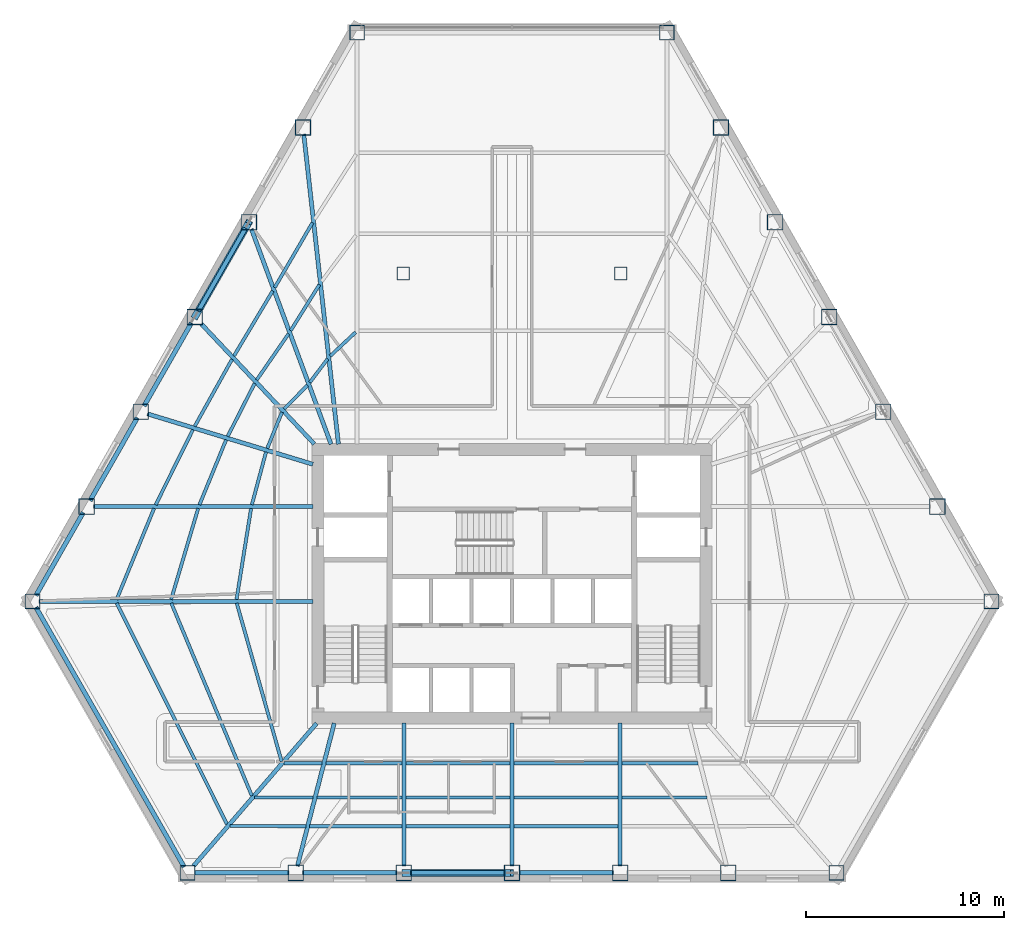
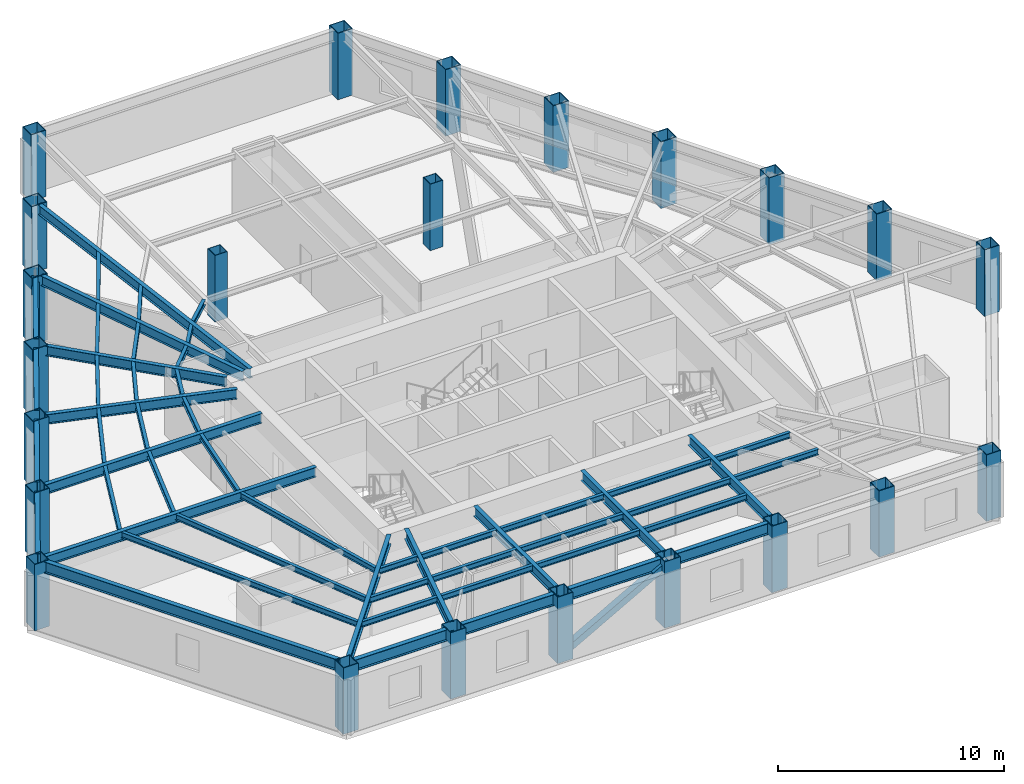
# One storey, part 1 of 12: 53 beams, 23 columns, 2 members.
"""IFC4 building model written with IfcOpenShell, lengths in metres."""

from ifc_helpers import new_model, si_unit, direction, frame, origin, origin_2d, place, context, subcontext, project, spatial, hollow_rectangle, i_section, extrude, material, material_profile, profile_set, type_object, element, save


model = new_model("IFC4")

# Units and contexts
model_context = context("Model", 3, precision=1e-05, world=origin(), true_north=direction((0.0, 1.0)))
body_context = subcontext(model_context, "Body", "Model", "MODEL_VIEW")
ifc_project = project(units=[si_unit("LENGTHUNIT", "METRE"), si_unit("AREAUNIT", "SQUARE_METRE"), si_unit("VOLUMEUNIT", "CUBIC_METRE"), si_unit("PLANEANGLEUNIT", "RADIAN"), si_unit("MASSUNIT", "GRAM", prefix="KILO")], contexts=[model_context])

# Site, building, storey
site_placement = place(None, origin())
site = spatial("IfcSite", under=ifc_project, at=site_placement, CompositionType="ELEMENT")
building_placement = place(site_placement, origin())
building = spatial("IfcBuilding", under=site, at=building_placement, Name="Kavelnor Concourse Tower", CompositionType="ELEMENT")
storey_placement = place(building_placement, frame((0.0, 0.0, 21.39990234375)))
storey = spatial("IfcBuildingStorey", under=building, at=storey_placement, Name="L05", CompositionType="ELEMENT", Elevation=21.39990234375)

# Columns
ifc_material = material(Name="Steel Grade 350", Category="steel")
ifc_material_profile_1 = material_profile(ifc_material, hollow_rectangle(XDim=0.760009765625, YDim=0.760009765625, WallThickness=0.034912109375, at=origin_2d()), Name="SHS 760x760x35")
ifc_profile_set_1 = profile_set([ifc_material_profile_1], Name="Steel Grade 350")
column_type_1 = type_object("IfcColumnType", Name="COL-FOLD-Z1", PredefinedType="COLUMN", material=ifc_profile_set_1)
for number, where, z_axis, x_axis, name in (
    (1, (30.160400390625, 43.9873046875, 0.0), (0.0, 0.0, 1.0), (1.0, 0.0, 0.0), "L05 Perimeter Corner-Fold Column F0-B0"),
    (2, (13.732666015625, 15.206298828125, 0.0), (0.0, 0.0, 1.0), (1.0, 0.0, 0.0), "L05 Perimeter Corner-Fold Column F0-B6"),
    (3, (21.576904296875, 1.462890625, 0.0), (0.0, 0.0, 1.0), (1.0, 0.0, 0.0), "L05 Perimeter Corner-Fold Column F1-B0"),
    (4, (54.423095703125, 1.462890625, 0.0), (0.0, 0.0, 1.0), (1.0, 0.0, 0.0), "L05 Perimeter Corner-Fold Column F1-B6"),
    (5, (62.267333984375, 15.206298828125, 0.0), (0.0, 0.0, 1.0), (1.0, 0.0, 0.0), "L05 Perimeter Corner-Fold Column F2-B0"),
    (6, (45.839599609375, 43.9873046875, 0.0), (0.0, 0.0, 1.0), (1.0, 0.0, 0.0), "L05 Perimeter Corner-Fold Column F2-B6"),
):
    element("IfcColumn", number, at=place(storey_placement, frame(where, z_axis=z_axis, x_axis=x_axis)), inside=storey, type_object=column_type_1, Name=name, PredefinedType="COLUMN", context=body_context, shape_type="SweptSolid", body=[
        extrude(hollow_rectangle(XDim=0.760009765625, YDim=0.760009765625, WallThickness=0.034912109375, at=origin_2d()), origin(), (0.0, 0.0, 1.0), 3.590087890625),
    ])
ifc_material_profile_2 = material_profile(ifc_material, hollow_rectangle(XDim=0.800048828125, YDim=0.800048828125, WallThickness=0.035888671875, at=origin_2d()), Name="SHS 800x800x36")
ifc_profile_set_2 = profile_set([ifc_material_profile_2], Name="Steel Grade 350")
column_type_2 = type_object("IfcColumnType", Name="COL-TUBE-Z1", PredefinedType="COLUMN", material=ifc_profile_set_2)
for number, where, z_axis, x_axis, name in (
    (7, (27.42236328125, 39.1904296875, 0.0), (0.0, 0.0, 1.0), (1.0, 0.0, 0.0), "L05 Perimeter Framed-Tube Column F0-B1"),
    (8, (24.684326171875, 34.393798828125, 0.0), (0.0, 0.0, 1.0), (1.0, 0.0, 0.0), "L05 Perimeter Framed-Tube Column F0-B2"),
    (9, (21.9462890625, 29.5966796875, 0.0), (0.0, 0.0, 1.0), (1.0, 0.0, 0.0), "L05 Perimeter Framed-Tube Column F0-B3"),
    (10, (19.20849609375, 24.7998046875, 0.0), (0.0, 0.0, 1.0), (1.0, 0.0, 0.0), "L05 Perimeter Framed-Tube Column F0-B4"),
    (11, (16.470458984375, 20.003173828125, 0.0), (0.0, 0.0, 1.0), (1.0, 0.0, 0.0), "L05 Perimeter Framed-Tube Column F0-B5"),
    (12, (27.05126953125, 1.462890625, 0.0), (0.0, 0.0, 1.0), (1.0, 0.0, 0.0), "L05 Perimeter Framed-Tube Column F1-B1"),
    (13, (32.525634765625, 1.462890625, 0.0), (0.0, 0.0, 1.0), (1.0, 0.0, 0.0), "L05 Perimeter Framed-Tube Column F1-B2"),
    (14, (38.0, 1.462890625, 0.0), (0.0, 0.0, 1.0), (1.0, 0.0, 0.0), "L05 Perimeter Framed-Tube Column F1-B3"),
    (15, (43.474365234375, 1.462890625, 0.0), (0.0, 0.0, 1.0), (1.0, 0.0, 0.0), "L05 Perimeter Framed-Tube Column F1-B4"),
    (16, (48.94873046875, 1.462890625, 0.0), (0.0, 0.0, 1.0), (1.0, 0.0, 0.0), "L05 Perimeter Framed-Tube Column F1-B5"),
    (17, (59.529541015625, 20.003173828125, 0.0), (0.0, 0.0, 1.0), (1.0, 0.0, 0.0), "L05 Perimeter Framed-Tube Column F2-B1"),
    (18, (56.79150390625, 24.7998046875, 0.0), (0.0, 0.0, 1.0), (1.0, 0.0, 0.0), "L05 Perimeter Framed-Tube Column F2-B2"),
    (19, (54.0537109375, 29.5966796875, 0.0), (0.0, 0.0, 1.0), (1.0, 0.0, 0.0), "L05 Perimeter Framed-Tube Column F2-B3"),
    (20, (51.315673828125, 34.393798828125, 0.0), (0.0, 0.0, 1.0), (1.0, 0.0, 0.0), "L05 Perimeter Framed-Tube Column F2-B4"),
    (21, (48.57763671875, 39.1904296875, 0.0), (0.0, 0.0, 1.0), (1.0, 0.0, 0.0), "L05 Perimeter Framed-Tube Column F2-B5"),
):
    element("IfcColumn", number, at=place(storey_placement, frame(where, z_axis=z_axis, x_axis=x_axis)), inside=storey, type_object=column_type_2, Name=name, PredefinedType="COLUMN", context=body_context, shape_type="SweptSolid", body=[
        extrude(hollow_rectangle(XDim=0.800048828125, YDim=0.800048828125, WallThickness=0.035888671875, at=origin_2d()), origin(), (0.0, 0.0, 1.0), 3.590087890625),
    ])
ifc_material_profile_3 = material_profile(ifc_material, hollow_rectangle(XDim=0.639892578125, YDim=0.639892578125, WallThickness=0.028076171875, at=origin_2d()), Name="SHS 640x640x28")
ifc_profile_set_3 = profile_set([ifc_material_profile_3], Name="Steel Grade 350")
column_type_3 = type_object("IfcColumnType", Name="COL-TUBE-Z3", PredefinedType="COLUMN", material=ifc_profile_set_3)
for number, where, z_axis, x_axis, name in (
    (22, (32.5, 31.800048828125, 0.0), (0.0, 0.0, 1.0), (1.0, 0.0, 0.0), "L05 North Interior Gravity Column BC-NW"),
    (23, (43.5, 31.800048828125, 0.0), (0.0, 0.0, 1.0), (1.0, 0.0, 0.0), "L05 North Interior Gravity Column BC-NE"),
):
    element("IfcColumn", number, at=place(storey_placement, frame(where, z_axis=z_axis, x_axis=x_axis)), inside=storey, type_object=column_type_3, Name=name, PredefinedType="COLUMN", context=body_context, shape_type="SweptSolid", body=[
        extrude(hollow_rectangle(XDim=0.639892578125, YDim=0.639892578125, WallThickness=0.028076171875, at=origin_2d()), origin(), (0.0, 0.0, 1.0), 3.590087890625),
    ])

# Beams
ifc_material_profile_4 = material_profile(ifc_material, i_section(OverallWidth=0.166015625, OverallDepth=0.306884765625, WebThickness=0.006591796875, FlangeThickness=0.01171875, at=origin_2d()), Name="310UB46")
ifc_profile_set_4 = profile_set([ifc_material_profile_4], Name="Steel Grade 350")
beam_type_1 = type_object("IfcBeamType", Name="BM-JOIST-310", PredefinedType="JOIST", material=ifc_profile_set_4)
beam_1_placement = place(storey_placement, frame((24.069580078125, 15.111328125, 3.4365234375), z_axis=(0.27269037015, -0.962101845974, 0.0), x_axis=(0.962101845974, 0.27269037015, 0.0)))
element("IfcBeam", 24, at=beam_1_placement, inside=storey, type_object=beam_type_1, Name="L05 Secondary Composite Joist 01-1", PredefinedType="JOIST", context=body_context, shape_type="SweptSolid", body=[
    extrude(i_section(OverallWidth=0.166015625, OverallDepth=0.306884765625, WebThickness=0.006591796875, FlangeThickness=0.01171875, at=origin_2d()), origin(), (0.0, 0.0, 1.0), 8.32275390625),
])
beam_2_placement = place(storey_placement, frame((20.75732421875, 15.115234375, 3.4365234375), z_axis=(0.38570957059, -0.922620250783, 0.0), x_axis=(0.922620250783, 0.38570957059, 0.0)))
element("IfcBeam", 25, at=beam_2_placement, inside=storey, type_object=beam_type_1, Name="L05 Secondary Composite Joist 01-2", PredefinedType="JOIST", context=body_context, shape_type="SweptSolid", body=[
    extrude(i_section(OverallWidth=0.166015625, OverallDepth=0.306884765625, WebThickness=0.006591796875, FlangeThickness=0.01171875, at=origin_2d()), origin(), (0.0, 0.0, 1.0), 10.564697265625),
])
beam_3_placement = place(storey_placement, frame((17.993896484375, 15.1181640625, 3.4365234375), z_axis=(0.446425153632, -0.894820977741, 0.0), x_axis=(0.894820977741, 0.446425153632, 0.0)))
element("IfcBeam", 26, at=beam_3_placement, inside=storey, type_object=beam_type_1, Name="L05 Secondary Composite Joist 01-3", PredefinedType="JOIST", context=body_context, shape_type="SweptSolid", body=[
    extrude(i_section(OverallWidth=0.166015625, OverallDepth=0.306884765625, WebThickness=0.006591796875, FlangeThickness=0.01171875, at=origin_2d()), origin(), (0.0, 0.0, 1.0), 12.5126953125),
])
beam_4_placement = place(storey_placement, frame((26.464599609375, 7.009521484375, 3.4365234375), z_axis=(0.999998412912, 0.001781620995, 0.0), x_axis=(-0.001781620995, 0.999998412912, 0.0)))
element("IfcBeam", 27, at=beam_4_placement, inside=storey, type_object=beam_type_1, Name="L05 Secondary Composite Joist 02-1", PredefinedType="JOIST", context=body_context, shape_type="SweptSolid", body=[
    extrude(i_section(OverallWidth=0.166015625, OverallDepth=0.306884765625, WebThickness=0.006591796875, FlangeThickness=0.01171875, at=origin_2d()), origin(), (0.0, 0.0, 1.0), 1.91845703125),
])
beam_5_placement = place(storey_placement, frame((24.96875, 5.277099609375, 3.4365234375), z_axis=(0.999999996614, -8.2290981e-05, 0.0), x_axis=(8.2290981e-05, 0.999999996614, 0.0)))
element("IfcBeam", 28, at=beam_5_placement, inside=storey, type_object=beam_type_1, Name="L05 Secondary Composite Joist 02-2", PredefinedType="JOIST", context=body_context, shape_type="SweptSolid", body=[
    extrude(i_section(OverallWidth=0.166015625, OverallDepth=0.306884765625, WebThickness=0.006591796875, FlangeThickness=0.01171875, at=origin_2d()), origin(), (0.0, 0.0, 1.0), 2.966796875),
])
beam_6_placement = place(storey_placement, frame((23.722412109375, 3.83349609375, 3.4365234375), z_axis=(0.999999603933, -0.000890018719, 0.0), x_axis=(0.000890018719, 0.999999603933, 0.0)))
element("IfcBeam", 29, at=beam_6_placement, inside=storey, type_object=beam_type_1, Name="L05 Secondary Composite Joist 02-3", PredefinedType="JOIST", context=body_context, shape_type="SweptSolid", body=[
    extrude(i_section(OverallWidth=0.166015625, OverallDepth=0.306884765625, WebThickness=0.006591796875, FlangeThickness=0.01171875, at=origin_2d()), origin(), (0.0, 0.0, 1.0), 3.84033203125),
])
beam_7_placement = place(storey_placement, frame((28.580078125, 7.01318359375, 3.4365234375), z_axis=(0.999999991945, 0.000126927714, 0.0), x_axis=(-0.000126927714, 0.999999991945, 0.0)))
element("IfcBeam", 30, at=beam_7_placement, inside=storey, type_object=beam_type_1, Name="L05 Secondary Composite Joist 03-1", PredefinedType="JOIST", context=body_context, shape_type="SweptSolid", body=[
    extrude(i_section(OverallWidth=0.166015625, OverallDepth=0.306884765625, WebThickness=0.006591796875, FlangeThickness=0.01171875, at=origin_2d()), origin(), (0.0, 0.0, 1.0), 3.846923828125),
])
beam_8_placement = place(storey_placement, frame((28.132568359375, 5.27685546875, 3.4365234375), z_axis=(0.999999998384, -5.6850483e-05, 0.0), x_axis=(5.6850483e-05, 0.999999998384, 0.0)))
element("IfcBeam", 31, at=beam_8_placement, inside=storey, type_object=beam_type_1, Name="L05 Secondary Composite Joist 03-2", PredefinedType="JOIST", context=body_context, shape_type="SweptSolid", body=[
    extrude(i_section(OverallWidth=0.166015625, OverallDepth=0.306884765625, WebThickness=0.006591796875, FlangeThickness=0.01171875, at=origin_2d()), origin(), (0.0, 0.0, 1.0), 4.29443359375),
])
beam_9_placement = place(storey_placement, frame((27.759765625, 3.829833984375, 3.4365234375), z_axis=(0.999999994527, -0.000104618925, 0.0), x_axis=(0.000104618925, 0.999999994527, 0.0)))
element("IfcBeam", 32, at=beam_9_placement, inside=storey, type_object=beam_type_1, Name="L05 Secondary Composite Joist 03-3", PredefinedType="JOIST", context=body_context, shape_type="SweptSolid", body=[
    extrude(i_section(OverallWidth=0.166015625, OverallDepth=0.306884765625, WebThickness=0.006591796875, FlangeThickness=0.01171875, at=origin_2d()), origin(), (0.0, 0.0, 1.0), 4.667236328125),
])
for number, where, z_axis, x_axis, name in (
    (33, (32.6240234375, 7.013671875, 3.4365234375), (1.0, 0.0, 0.0), (0.0, 1.0, 0.0), "L05 Secondary Composite Joist 04-1"),
    (34, (32.6240234375, 5.276611328125, 3.4365234375), (1.0, 0.0, 0.0), (0.0, 1.0, 0.0), "L05 Secondary Composite Joist 04-2"),
    (35, (32.6240234375, 3.829345703125, 3.4365234375), (1.0, 0.0, 0.0), (0.0, 1.0, 0.0), "L05 Secondary Composite Joist 04-3"),
    (36, (38.098388671875, 7.013671875, 3.4365234375), (1.0, 0.0, 0.0), (0.0, 1.0, 0.0), "L05 Secondary Composite Joist 05-1"),
    (37, (38.098388671875, 5.276611328125, 3.4365234375), (1.0, 0.0, 0.0), (0.0, 1.0, 0.0), "L05 Secondary Composite Joist 05-2"),
    (38, (38.098388671875, 3.829345703125, 3.4365234375), (1.0, 0.0, 0.0), (0.0, 1.0, 0.0), "L05 Secondary Composite Joist 05-3"),
):
    element("IfcBeam", number, at=place(storey_placement, frame(where, z_axis=z_axis, x_axis=x_axis)), inside=storey, type_object=beam_type_1, Name=name, PredefinedType="JOIST", context=body_context, shape_type="SweptSolid", body=[
        extrude(i_section(OverallWidth=0.166015625, OverallDepth=0.306884765625, WebThickness=0.006591796875, FlangeThickness=0.01171875, at=origin_2d()), origin(), (0.0, 0.0, 1.0), 5.277587890625),
    ])
beam_10_placement = place(storey_placement, frame((43.572998046875, 7.013671875, 3.4365234375), z_axis=(0.999999991945, -0.000126927714, 0.0), x_axis=(0.000126927714, 0.999999991945, 0.0)))
element("IfcBeam", 39, at=beam_10_placement, inside=storey, type_object=beam_type_1, Name="L05 Secondary Composite Joist 06-1", PredefinedType="JOIST", context=body_context, shape_type="SweptSolid", body=[
    extrude(i_section(OverallWidth=0.166015625, OverallDepth=0.306884765625, WebThickness=0.006591796875, FlangeThickness=0.01171875, at=origin_2d()), origin(), (0.0, 0.0, 1.0), 3.846923828125),
])
beam_11_placement = place(storey_placement, frame((43.572998046875, 5.276611328125, 3.4365234375), z_axis=(0.999999998384, 5.6850483e-05, 0.0), x_axis=(-5.6850483e-05, 0.999999998384, 0.0)))
element("IfcBeam", 40, at=beam_11_placement, inside=storey, type_object=beam_type_1, Name="L05 Secondary Composite Joist 06-2", PredefinedType="JOIST", context=body_context, shape_type="SweptSolid", body=[
    extrude(i_section(OverallWidth=0.166015625, OverallDepth=0.306884765625, WebThickness=0.006591796875, FlangeThickness=0.01171875, at=origin_2d()), origin(), (0.0, 0.0, 1.0), 4.29443359375),
])
beam_12_placement = place(storey_placement, frame((30.08837890625, 28.8291015625, 3.4365234375), z_axis=(-0.730182552933, -0.683252105297, 0.0), x_axis=(0.683252105297, -0.730182552933, 0.0)))
element("IfcBeam", 41, at=beam_12_placement, inside=storey, type_object=beam_type_1, Name="L05 Secondary Composite Joist 16-1", PredefinedType="JOIST", context=body_context, shape_type="SweptSolid", body=[
    extrude(i_section(OverallWidth=0.166015625, OverallDepth=0.306884765625, WebThickness=0.006591796875, FlangeThickness=0.01171875, at=origin_2d()), origin(), (0.0, 0.0, 1.0), 1.768798828125),
])
beam_13_placement = place(storey_placement, frame((28.66552734375, 27.474853515625, 3.4365234375), z_axis=(-0.602679585657, -0.797983281173, 0.0), x_axis=(0.797983281173, -0.602679585657, 0.0)))
element("IfcBeam", 42, at=beam_13_placement, inside=storey, type_object=beam_type_1, Name="L05 Secondary Composite Joist 17-1", PredefinedType="JOIST", context=body_context, shape_type="SweptSolid", body=[
    extrude(i_section(OverallWidth=0.166015625, OverallDepth=0.306884765625, WebThickness=0.006591796875, FlangeThickness=0.01171875, at=origin_2d()), origin(), (0.0, 0.0, 1.0), 1.485107421875),
])
beam_14_placement = place(storey_placement, frame((28.251220703125, 31.235595703125, 3.4365234375), z_axis=(-0.529990944069, -0.848003301412, 0.0), x_axis=(0.848003301412, -0.529990944069, 0.0)))
element("IfcBeam", 43, at=beam_14_placement, inside=storey, type_object=beam_type_1, Name="L05 Secondary Composite Joist 17-2", PredefinedType="JOIST", context=body_context, shape_type="SweptSolid", body=[
    extrude(i_section(OverallWidth=0.166015625, OverallDepth=0.306884765625, WebThickness=0.006591796875, FlangeThickness=0.01171875, at=origin_2d()), origin(), (0.0, 0.0, 1.0), 2.74462890625),
])
beam_15_placement = place(storey_placement, frame((27.902587890625, 34.3720703125, 3.4365234375), z_axis=(-0.503479668379, -0.864007073772, 0.0), x_axis=(0.864007073772, -0.503479668379, 0.0)))
element("IfcBeam", 44, at=beam_15_placement, inside=storey, type_object=beam_type_1, Name="L05 Secondary Composite Joist 17-3", PredefinedType="JOIST", context=body_context, shape_type="SweptSolid", body=[
    extrude(i_section(OverallWidth=0.166015625, OverallDepth=0.306884765625, WebThickness=0.006591796875, FlangeThickness=0.01171875, at=origin_2d()), origin(), (0.0, 0.0, 1.0), 3.8017578125),
])
beam_16_placement = place(storey_placement, frame((27.64208984375, 26.14111328125, 3.4365234375), z_axis=(-0.701128879379, -0.713034567536, 0.0), x_axis=(0.713034567536, -0.701128879379, 0.0)))
element("IfcBeam", 45, at=beam_16_placement, inside=storey, type_object=beam_type_1, Name="L05 Secondary Composite Joist 18-1", PredefinedType="JOIST", context=body_context, shape_type="SweptSolid", body=[
    extrude(i_section(OverallWidth=0.166015625, OverallDepth=0.306884765625, WebThickness=0.006591796875, FlangeThickness=0.01171875, at=origin_2d()), origin(), (0.0, 0.0, 1.0), 1.681396484375),
])
beam_17_placement = place(storey_placement, frame((26.6884765625, 28.74365234375, 3.4365234375), z_axis=(-0.568219875212, -0.822876766846, 0.0), x_axis=(0.822876766846, -0.568219875212, 0.0)))
element("IfcBeam", 46, at=beam_17_placement, inside=storey, type_object=beam_type_1, Name="L05 Secondary Composite Joist 18-2", PredefinedType="JOIST", context=body_context, shape_type="SweptSolid", body=[
    extrude(i_section(OverallWidth=0.166015625, OverallDepth=0.306884765625, WebThickness=0.006591796875, FlangeThickness=0.01171875, at=origin_2d()), origin(), (0.0, 0.0, 1.0), 2.8349609375),
])
beam_18_placement = place(storey_placement, frame((25.888427734375, 30.917724609375, 3.4365234375), z_axis=(-0.511989436701, -0.85899174426, 0.0), x_axis=(0.85899174426, -0.511989436701, 0.0)))
element("IfcBeam", 47, at=beam_18_placement, inside=storey, type_object=beam_type_1, Name="L05 Secondary Composite Joist 18-3", PredefinedType="JOIST", context=body_context, shape_type="SweptSolid", body=[
    extrude(i_section(OverallWidth=0.166015625, OverallDepth=0.306884765625, WebThickness=0.006591796875, FlangeThickness=0.01171875, at=origin_2d()), origin(), (0.0, 0.0, 1.0), 3.828125),
])
beam_19_placement = place(storey_placement, frame((26.35693359375, 24.78076171875, 3.4365234375), z_axis=(-0.37688079029, -0.926261771807, 0.0), x_axis=(0.926261771807, -0.37688079029, 0.0)))
element("IfcBeam", 48, at=beam_19_placement, inside=storey, type_object=beam_type_1, Name="L05 Secondary Composite Joist 19-1", PredefinedType="JOIST", context=body_context, shape_type="SweptSolid", body=[
    extrude(i_section(OverallWidth=0.166015625, OverallDepth=0.306884765625, WebThickness=0.006591796875, FlangeThickness=0.01171875, at=origin_2d()), origin(), (0.0, 0.0, 1.0), 1.975830078125),
])
beam_20_placement = place(storey_placement, frame((24.97705078125, 26.2421875, 3.4365234375), z_axis=(-0.45359286798, -0.891209015954, 0.0), x_axis=(0.891209015954, -0.45359286798, 0.0)))
element("IfcBeam", 49, at=beam_20_placement, inside=storey, type_object=beam_type_1, Name="L05 Secondary Composite Joist 19-2", PredefinedType="JOIST", context=body_context, shape_type="SweptSolid", body=[
    extrude(i_section(OverallWidth=0.166015625, OverallDepth=0.306884765625, WebThickness=0.006591796875, FlangeThickness=0.01171875, at=origin_2d()), origin(), (0.0, 0.0, 1.0), 3.01025390625),
])
beam_21_placement = place(storey_placement, frame((23.830078125, 27.458740234375, 3.4365234375), z_axis=(-0.486646615233, -0.873598919346, 0.0), x_axis=(0.873598919346, -0.486646615233, 0.0)))
element("IfcBeam", 50, at=beam_21_placement, inside=storey, type_object=beam_type_1, Name="L05 Secondary Composite Joist 19-3", PredefinedType="JOIST", context=body_context, shape_type="SweptSolid", body=[
    extrude(i_section(OverallWidth=0.166015625, OverallDepth=0.306884765625, WebThickness=0.006591796875, FlangeThickness=0.01171875, at=origin_2d()), origin(), (0.0, 0.0, 1.0), 3.881591796875),
])
beam_22_placement = place(storey_placement, frame((25.5498046875, 22.764404296875, 3.4365234375), z_axis=(-0.259044050326, -0.965865508231, 0.0), x_axis=(0.965865508231, -0.259044050326, 0.0)))
element("IfcBeam", 51, at=beam_22_placement, inside=storey, type_object=beam_type_1, Name="L05 Secondary Composite Joist 20-1", PredefinedType="JOIST", context=body_context, shape_type="SweptSolid", body=[
    extrude(i_section(OverallWidth=0.166015625, OverallDepth=0.306884765625, WebThickness=0.006591796875, FlangeThickness=0.01171875, at=origin_2d()), origin(), (0.0, 0.0, 1.0), 2.760498046875),
])
beam_23_placement = place(storey_placement, frame((23.529541015625, 23.380615234375, 3.4365234375), z_axis=(-0.379764488657, -0.925083203369, 0.0), x_axis=(0.925083203369, -0.379764488657, 0.0)))
element("IfcBeam", 52, at=beam_23_placement, inside=storey, type_object=beam_type_1, Name="L05 Secondary Composite Joist 20-2", PredefinedType="JOIST", context=body_context, shape_type="SweptSolid", body=[
    extrude(i_section(OverallWidth=0.166015625, OverallDepth=0.306884765625, WebThickness=0.006591796875, FlangeThickness=0.01171875, at=origin_2d()), origin(), (0.0, 0.0, 1.0), 3.552490234375),
])
beam_24_placement = place(storey_placement, frame((21.849609375, 23.8935546875, 3.4365234375), z_axis=(-0.444127359241, -0.895963664873, 0.0), x_axis=(0.895963664873, -0.444127359241, 0.0)))
element("IfcBeam", 53, at=beam_24_placement, inside=storey, type_object=beam_type_1, Name="L05 Secondary Composite Joist 20-3", PredefinedType="JOIST", context=body_context, shape_type="SweptSolid", body=[
    extrude(i_section(OverallWidth=0.166015625, OverallDepth=0.306884765625, WebThickness=0.006591796875, FlangeThickness=0.01171875, at=origin_2d()), origin(), (0.0, 0.0, 1.0), 4.24365234375),
])
beam_25_placement = place(storey_placement, frame((24.793701171875, 19.90576171875, 3.4365234375), z_axis=(-0.157778022927, -0.98747460498, 0.0), x_axis=(0.98747460498, -0.157778022927, 0.0)))
element("IfcBeam", 54, at=beam_25_placement, inside=storey, type_object=beam_type_1, Name="L05 Secondary Composite Joist 21-1", PredefinedType="JOIST", context=body_context, shape_type="SweptSolid", body=[
    extrude(i_section(OverallWidth=0.166015625, OverallDepth=0.306884765625, WebThickness=0.006591796875, FlangeThickness=0.01171875, at=origin_2d()), origin(), (0.0, 0.0, 1.0), 4.66064453125),
])
beam_26_placement = place(storey_placement, frame((22.114990234375, 19.90869140625, 3.4365234375), z_axis=(-0.284527543542, -0.958667865825, 0.0), x_axis=(0.958667865825, -0.284527543542, 0.0)))
element("IfcBeam", 55, at=beam_26_placement, inside=storey, type_object=beam_type_1, Name="L05 Secondary Composite Joist 21-2", PredefinedType="JOIST", context=body_context, shape_type="SweptSolid", body=[
    extrude(i_section(OverallWidth=0.166015625, OverallDepth=0.306884765625, WebThickness=0.006591796875, FlangeThickness=0.01171875, at=origin_2d()), origin(), (0.0, 0.0, 1.0), 4.806884765625),
])
beam_27_placement = place(storey_placement, frame((19.8837890625, 19.912109375, 3.4365234375), z_axis=(-0.380114739322, -0.924939341228, 0.0), x_axis=(0.924939341228, -0.380114739322, 0.0)))
element("IfcBeam", 56, at=beam_27_placement, inside=storey, type_object=beam_type_1, Name="L05 Secondary Composite Joist 21-3", PredefinedType="JOIST", context=body_context, shape_type="SweptSolid", body=[
    extrude(i_section(OverallWidth=0.166015625, OverallDepth=0.306884765625, WebThickness=0.006591796875, FlangeThickness=0.01171875, at=origin_2d()), origin(), (0.0, 0.0, 1.0), 4.9892578125),
])
ifc_material_profile_5 = material_profile(ifc_material, i_section(OverallWidth=0.208984375, OverallDepth=0.528076171875, WebThickness=0.009521484375, FlangeThickness=0.01318359375, at=origin_2d()), Name="530UB82")
ifc_profile_set_5 = profile_set([ifc_material_profile_5], Name="Steel Grade 350")
beam_type_2 = type_object("IfcBeamType", Name="BM-PRIMARY-530", PredefinedType="BEAM", material=ifc_profile_set_5)
beam_28_placement = place(storey_placement, frame((29.216552734375, 23.16015625, 3.326171875), z_axis=(-0.111229182439, 0.993794782123, 0.0), x_axis=(-0.993794782123, -0.111229182439, 0.0)))
element("IfcBeam", 57, at=beam_28_placement, inside=storey, type_object=beam_type_2, Name="L05 Primary Floor Girder F0-B1", PredefinedType="BEAM", context=body_context, shape_type="SweptSolid", body=[
    extrude(i_section(OverallWidth=0.208984375, OverallDepth=0.528076171875, WebThickness=0.009521484375, FlangeThickness=0.01318359375, at=origin_2d()), origin(), (0.0, 0.0, 1.0), 15.7880859375),
])
beam_29_placement = place(storey_placement, frame((28.839111328125, 23.16259765625, 3.326171875), z_axis=(-0.346953391469, 0.937882372235, 0.0), x_axis=(-0.937882372235, -0.346953391469, 0.0)))
element("IfcBeam", 58, at=beam_29_placement, inside=storey, type_object=beam_type_2, Name="L05 Primary Floor Girder F0-B2", PredefinedType="BEAM", context=body_context, shape_type="SweptSolid", body=[
    extrude(i_section(OverallWidth=0.208984375, OverallDepth=0.528076171875, WebThickness=0.009521484375, FlangeThickness=0.01318359375, at=origin_2d()), origin(), (0.0, 0.0, 1.0), 11.60986328125),
])
beam_30_placement = place(storey_placement, frame((27.995361328125, 23.1708984375, 3.326171875), z_axis=(-0.685437716823, 0.728131263136, 0.0), x_axis=(-0.728131263136, -0.685437716823, 0.0)))
element("IfcBeam", 59, at=beam_30_placement, inside=storey, type_object=beam_type_2, Name="L05 Primary Floor Girder F0-B3", PredefinedType="BEAM", context=body_context, shape_type="SweptSolid", body=[
    extrude(i_section(OverallWidth=0.208984375, OverallDepth=0.528076171875, WebThickness=0.009521484375, FlangeThickness=0.01318359375, at=origin_2d()), origin(), (0.0, 0.0, 1.0), 8.34326171875),
])
beam_31_placement = place(storey_placement, frame((27.918212890625, 22.1455078125, 3.326171875), z_axis=(-0.956561257848, 0.291531404799, 0.0), x_axis=(-0.291531404799, -0.956561257848, 0.0)))
element("IfcBeam", 60, at=beam_31_placement, inside=storey, type_object=beam_type_2, Name="L05 Primary Floor Girder F0-B4", PredefinedType="BEAM", context=body_context, shape_type="SweptSolid", body=[
    extrude(i_section(OverallWidth=0.208984375, OverallDepth=0.528076171875, WebThickness=0.009521484375, FlangeThickness=0.01318359375, at=origin_2d()), origin(), (0.0, 0.0, 1.0), 8.747802734375),
])
beam_32_placement = place(storey_placement, frame((27.919921875, 20.003173828125, 3.326171875), z_axis=(-1.0, 0.0, 0.0), x_axis=(0.0, -1.0, 0.0)))
element("IfcBeam", 61, at=beam_32_placement, inside=storey, type_object=beam_type_2, Name="L05 Primary Floor Girder F0-B5", PredefinedType="BEAM", context=body_context, shape_type="SweptSolid", body=[
    extrude(i_section(OverallWidth=0.208984375, OverallDepth=0.528076171875, WebThickness=0.009521484375, FlangeThickness=0.01318359375, at=origin_2d()), origin(), (0.0, 0.0, 1.0), 11.109375),
])
beam_33_placement = place(storey_placement, frame((27.919921875, 15.206298828125, 3.326171875), z_axis=(-1.0, 0.0, 0.0), x_axis=(0.0, -1.0, 0.0)))
element("IfcBeam", 62, at=beam_33_placement, inside=storey, type_object=beam_type_2, Name="L05 Primary Floor Girder F0-B6", PredefinedType="BEAM", context=body_context, shape_type="SweptSolid", body=[
    extrude(i_section(OverallWidth=0.208984375, OverallDepth=0.528076171875, WebThickness=0.009521484375, FlangeThickness=0.01318359375, at=origin_2d()), origin(), (0.0, 0.0, 1.0), 13.847412109375),
])
beam_34_placement = place(storey_placement, frame((28.111083984375, 9.0302734375, 3.326171875), z_axis=(-0.653538546599, -0.756893234287, 0.0), x_axis=(0.756893234287, -0.653538546599, 0.0)))
element("IfcBeam", 63, at=beam_34_placement, inside=storey, type_object=beam_type_2, Name="L05 Primary Floor Girder F1-B0", PredefinedType="BEAM", context=body_context, shape_type="SweptSolid", body=[
    extrude(i_section(OverallWidth=0.208984375, OverallDepth=0.528076171875, WebThickness=0.009521484375, FlangeThickness=0.01318359375, at=origin_2d()), origin(), (0.0, 0.0, 1.0), 9.5361328125),
])
beam_35_placement = place(storey_placement, frame((29.00341796875, 9.038818359375, 3.326171875), z_axis=(-0.249534064599, -0.968366020988, 0.0), x_axis=(0.968366020988, -0.249534064599, 0.0)))
element("IfcBeam", 64, at=beam_35_placement, inside=storey, type_object=beam_type_2, Name="L05 Primary Floor Girder F1-B1", PredefinedType="BEAM", context=body_context, shape_type="SweptSolid", body=[
    extrude(i_section(OverallWidth=0.208984375, OverallDepth=0.528076171875, WebThickness=0.009521484375, FlangeThickness=0.01318359375, at=origin_2d()), origin(), (0.0, 0.0, 1.0), 7.470947265625),
])
for number, where, z_axis, x_axis, name in (
    (65, (32.525634765625, 9.0400390625, 3.326171875), (0.0, -1.0, 0.0), (1.0, 0.0, 0.0), "L05 Primary Floor Girder F1-B2"),
    (66, (38.0, 9.0400390625, 3.326171875), (0.0, -1.0, 0.0), (1.0, 0.0, 0.0), "L05 Primary Floor Girder F1-B3"),
    (67, (43.474365234375, 9.0400390625, 3.326171875), (0.0, -1.0, 0.0), (1.0, 0.0, 0.0), "L05 Primary Floor Girder F1-B4"),
):
    element("IfcBeam", number, at=place(storey_placement, frame(where, z_axis=z_axis, x_axis=x_axis)), inside=storey, type_object=beam_type_2, Name=name, PredefinedType="BEAM", context=body_context, shape_type="SweptSolid", body=[
        extrude(i_section(OverallWidth=0.208984375, OverallDepth=0.528076171875, WebThickness=0.009521484375, FlangeThickness=0.01318359375, at=origin_2d()), origin(), (0.0, 0.0, 1.0), 7.237060546875),
    ])
ifc_material_profile_6 = material_profile(ifc_material, i_section(OverallWidth=0.22900390625, OverallDepth=0.612060546875, WebThickness=0.011962890625, FlangeThickness=0.01953125, at=origin_2d()), Name="610UB125")
ifc_profile_set_6 = profile_set([ifc_material_profile_6], Name="Steel Grade 350")
beam_type_3 = type_object("IfcBeamType", Name="BM-SPANDREL-Z1", PredefinedType="SPANDREL", material=ifc_profile_set_6)
for number, where, z_axis, x_axis, name in (
    (68, (24.513427734375, 34.093994140625, 3.2841796875), (-0.495736333855, -0.868473078049, 0.0), (0.868473078049, -0.495736333855, 0.0), "L05 Perimeter Tube Spandrel Beam F0-B2"),
    (69, (21.775390625, 29.297119140625, 3.2841796875), (-0.495736333855, -0.868473078049, 0.0), (0.868473078049, -0.495736333855, 0.0), "L05 Perimeter Tube Spandrel Beam F0-B3"),
    (70, (19.03759765625, 24.500244140625, 3.2841796875), (-0.495736333855, -0.868473078049, 0.0), (0.868473078049, -0.495736333855, 0.0), "L05 Perimeter Tube Spandrel Beam F0-B4"),
):
    element("IfcBeam", number, at=place(storey_placement, frame(where, z_axis=z_axis, x_axis=x_axis)), inside=storey, type_object=beam_type_3, Name=name, PredefinedType="SPANDREL", context=body_context, shape_type="SweptSolid", body=[
        extrude(i_section(OverallWidth=0.22900390625, OverallDepth=0.612060546875, WebThickness=0.011962890625, FlangeThickness=0.01953125, at=origin_2d()), origin(), (0.0, 0.0, 1.0), 4.833251953125),
    ])
beam_36_placement = place(storey_placement, frame((16.299560546875, 19.70361328125, 3.2841796875), z_axis=(-0.49571458703, -0.868485491074, 0.0), x_axis=(0.868485491074, -0.49571458703, 0.0)))
element("IfcBeam", 71, at=beam_36_placement, inside=storey, type_object=beam_type_3, Name="L05 Perimeter Tube Spandrel Beam F0-B5", PredefinedType="SPANDREL", context=body_context, shape_type="SweptSolid", body=[
    extrude(i_section(OverallWidth=0.22900390625, OverallDepth=0.612060546875, WebThickness=0.011962890625, FlangeThickness=0.01953125, at=origin_2d()), origin(), (0.0, 0.0, 1.0), 4.83349609375),
])
for number, where, z_axis, x_axis, name in (
    (72, (21.921875, 1.462890625, 3.2841796875), (1.0, 0.0, 0.0), (0.0, 1.0, 0.0), "L05 Perimeter Tube Spandrel Beam F1-B0"),
    (73, (27.396240234375, 1.462890625, 3.2841796875), (1.0, 0.0, 0.0), (0.0, 1.0, 0.0), "L05 Perimeter Tube Spandrel Beam F1-B1"),
    (74, (32.87060546875, 1.462890625, 3.2841796875), (1.0, 0.0, 0.0), (0.0, 1.0, 0.0), "L05 Perimeter Tube Spandrel Beam F1-B2"),
    (75, (38.344970703125, 1.462890625, 3.2841796875), (1.0, 0.0, 0.0), (0.0, 1.0, 0.0), "L05 Perimeter Tube Spandrel Beam F1-B3"),
):
    element("IfcBeam", number, at=place(storey_placement, frame(where, z_axis=z_axis, x_axis=x_axis)), inside=storey, type_object=beam_type_3, Name=name, PredefinedType="SPANDREL", context=body_context, shape_type="SweptSolid", body=[
        extrude(i_section(OverallWidth=0.22900390625, OverallDepth=0.612060546875, WebThickness=0.011962890625, FlangeThickness=0.01953125, at=origin_2d()), origin(), (0.0, 0.0, 1.0), 4.784423828125),
    ])
beam_37_placement = place(storey_placement, frame((13.903564453125, 14.906494140625, 3.2841796875), z_axis=(0.495718470628, -0.86848327438, 0.0), x_axis=(0.86848327438, 0.495718470628, 0.0)))
element("IfcBeam", 76, at=beam_37_placement, inside=storey, type_object=beam_type_3, Name="L05 Chamfer Facet Spandrel Beam C1", PredefinedType="SPANDREL", context=body_context, shape_type="SweptSolid", body=[
    extrude(i_section(OverallWidth=0.22900390625, OverallDepth=0.612060546875, WebThickness=0.011962890625, FlangeThickness=0.01953125, at=origin_2d()), origin(), (0.0, 0.0, 1.0), 15.134521484375),
])

# Members
ifc_material_profile_7 = material_profile(ifc_material, hollow_rectangle(XDim=0.35009765625, YDim=0.35009765625, WallThickness=0.02001953125, at=origin_2d()), Name="SHS 350x350x20")
ifc_profile_set_7 = profile_set([ifc_material_profile_7], Name="Steel Grade 350")
member_type = type_object("IfcMemberType", Name="MBR-TUBE-DIAG-Z1", PredefinedType="BRACE", material=ifc_profile_set_7)
member_1_placement = place(storey_placement, frame((21.9462890625, 29.5966796875, 0.22021484375), z_axis=(0.433479710964, 0.759468822179, 0.485079837058), x_axis=(-0.868490555428, 0.495705714241, 0.0)))
element("IfcMember", 77, at=member_1_placement, inside=storey, type_object=member_type, Name="L05 Framed-Tube Bracing Diagonal F0-B2", PredefinedType="BRACE", context=body_context, shape_type="SweptSolid", body=[
    extrude(hollow_rectangle(XDim=0.35009765625, YDim=0.35009765625, WallThickness=0.02001953125, at=origin_2d()), origin(), (0.0, 0.0, 1.0), 6.31640625),
])
member_2_placement = place(storey_placement, frame((32.525634765625, 1.462890625, 0.22021484375), z_axis=(0.872620133974, 0.0, 0.4883995309), x_axis=(0.0, 1.0, 0.0)))
element("IfcMember", 78, at=member_2_placement, inside=storey, type_object=member_type, Name="L05 Framed-Tube Bracing Diagonal F1-B2", PredefinedType="BRACE", context=body_context, shape_type="SweptSolid", body=[
    extrude(hollow_rectangle(XDim=0.35009765625, YDim=0.35009765625, WallThickness=0.02001953125, at=origin_2d()), origin(), (0.0, 0.0, 1.0), 6.2734375),
])

save(model, "model.ifc")
